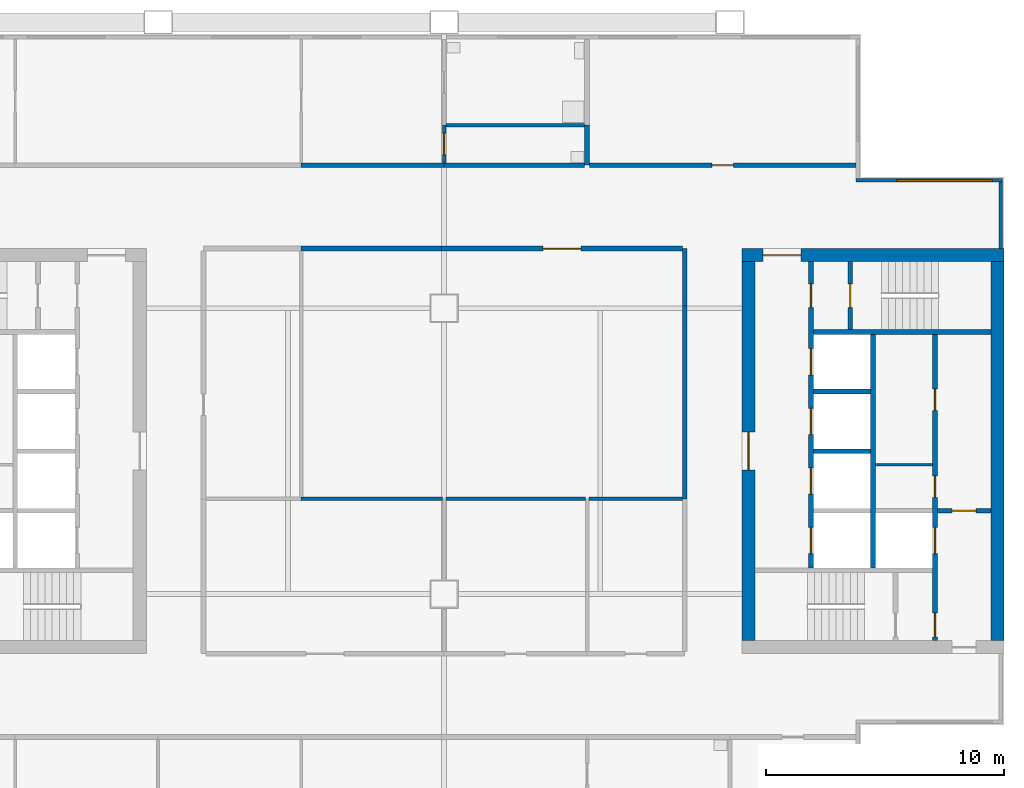
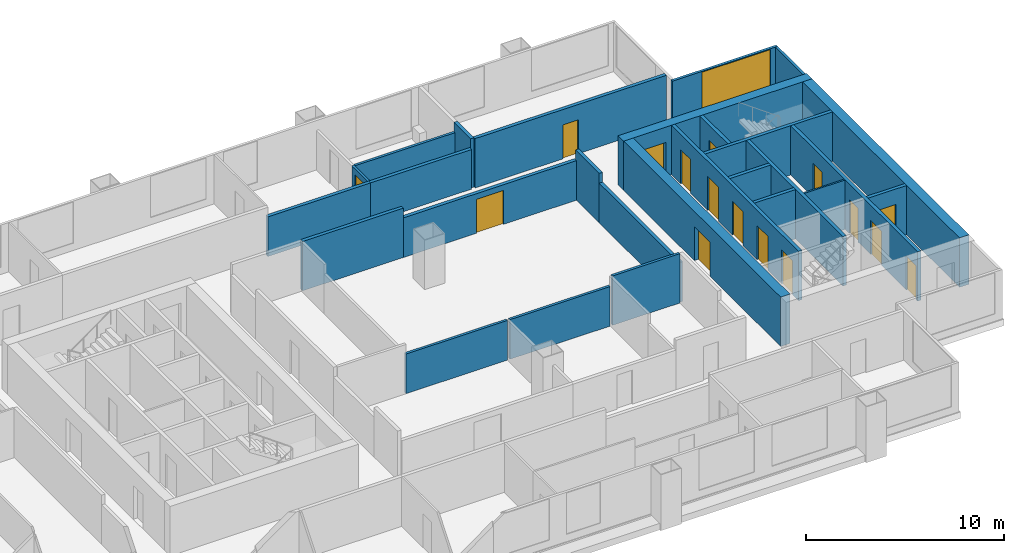
# One storey, part 5 of 8: 27 walls, 16 doors, 1 window, 17 openings.
"""IFC4 building model written with IfcOpenShell, lengths in metres."""

from ifc_helpers import new_model, si_unit, direction, frame, frame_2d, origin, place, context, subcontext, project, spatial, rectangle, extrude, material, layer, layer_set, type_object, element, fill, save


model = new_model("IFC4")

# Units and contexts
model_context = context("Model", 3, precision=1e-05, world=origin(), true_north=direction((0.0, 1.0)))
body_context = subcontext(model_context, "Body", "Model", "MODEL_VIEW")
ifc_project = project(units=[si_unit("LENGTHUNIT", "METRE"), si_unit("AREAUNIT", "SQUARE_METRE"), si_unit("VOLUMEUNIT", "CUBIC_METRE"), si_unit("PLANEANGLEUNIT", "RADIAN"), si_unit("MASSUNIT", "GRAM", prefix="KILO")], contexts=[model_context])

# Site, building, storey
site_placement = place(None, origin())
site = spatial("IfcSite", under=ifc_project, at=site_placement, CompositionType="ELEMENT")
building_placement = place(site_placement, origin())
building = spatial("IfcBuilding", under=site, at=building_placement, Name="Kitamizu Gate Tower and Museum", CompositionType="ELEMENT")
storey_placement = place(building_placement, frame((0.0, 0.0, 189.300048828125)))
storey = spatial("IfcBuildingStorey", under=building, at=storey_placement, Name="L50", CompositionType="ELEMENT", Elevation=189.300048828125)

# Wall, opening, door
ifc_material_1 = material(Name="Concrete Fc42", Category="concrete")
ifc_layer_1 = layer(ifc_material_1, 0.550048828125)
ifc_layer_set_1 = layer_set([ifc_layer_1], Name="Concrete Fc42")
wall_type_1 = type_object("IfcWallType", Name="Core wall 550", PredefinedType="SHEAR", material=ifc_layer_set_1)
wall_1_placement = place(storey_placement, frame((59.5, 38.22509765625, 0.0), z_axis=(0.0, 0.0, 1.0), x_axis=(-1.0, 0.0, 0.0)))
wall_1 = element("IfcWall", 1, at=wall_1_placement, inside=storey, type_object=wall_type_1, Name="Core wall EN", PredefinedType="SHEAR", context=body_context, shape_type="SweptSolid", body=[
    extrude(rectangle(XDim=11.0, YDim=0.550048828125, at=frame_2d((5.5, 0.0))), origin(), (0.0, 0.0, 1.0), 3.050048828125),
])
opening_1_placement = place(wall_1_placement, frame((8.52490234375, 0.0, 0.0)))
opening_1 = element("IfcOpeningElement", 2, at=opening_1_placement, cuts=wall_1, Name="Opening L50-047", PredefinedType="OPENING", context=body_context, shape_type="SweptSolid", body=[
    extrude(rectangle(XDim=1.60009765625, YDim=2.10009765625, at=frame_2d((0.800048828125, 1.050048828125))), frame((0.0, 0.28515625, 0.0), z_axis=(0.0, -1.0, 0.0), x_axis=(1.0, 0.0, 0.0)), (0.0, 0.0, 1.0), 0.570068359375),
])
ifc_material_2 = material(Name="Timber door set", Category="wood")
door_type_1 = type_object("IfcDoorType", Name="Entrance door 1600", OperationType="DOUBLE_DOOR_SINGLE_SWING", PredefinedType="DOOR", material=ifc_material_2)
door_1_placement = place(opening_1_placement, origin())
door_1 = element("IfcDoor", 3, at=door_1_placement, inside=storey, type_object=door_type_1, Name="Lobby door L50-047", OperationType="DOUBLE_DOOR_SINGLE_SWING", OverallHeight=2.10009765625, OverallWidth=1.60009765625, PredefinedType="DOOR", context=body_context, shape_type="SweptSolid", body=[
    extrude(rectangle(XDim=1.60009765625, YDim=2.10009765625, at=frame_2d((0.800048828125, 1.050048828125))), frame((0.0, 0.02490234375, 0.0), z_axis=(0.0, -1.0, 0.0), x_axis=(1.0, 0.0, 0.0)), (0.0, 0.0, 1.0), 0.050048828125),
])
fill(opening_1, door_1)

# Wall
wall_2_placement = place(storey_placement, frame((59.22509765625, 22.050048828125, 0.0), z_axis=(0.0, 0.0, 1.0), x_axis=(0.0, 1.0, 0.0)))
element("IfcWall", 4, at=wall_2_placement, inside=storey, type_object=wall_type_1, Name="Core wall EOUT", PredefinedType="SHEAR", context=body_context, shape_type="SweptSolid", body=[
    extrude(rectangle(XDim=15.89990234375, YDim=0.550048828125, at=frame_2d((7.949951171875, 0.0))), origin(), (0.0, 0.0, 1.0), 3.050048828125),
])

# Wall, opening, door
wall_3_placement = place(storey_placement, frame((48.77490234375, 22.050048828125, 0.0), z_axis=(0.0, 0.0, 1.0), x_axis=(0.0, 1.0, 0.0)))
wall_3 = element("IfcWall", 5, at=wall_3_placement, inside=storey, type_object=wall_type_1, Name="Core wall EARC", PredefinedType="SHEAR", context=body_context, shape_type="SweptSolid", body=[
    extrude(rectangle(XDim=15.89990234375, YDim=0.550048828125, at=frame_2d((7.949951171875, 0.0))), origin(), (0.0, 0.0, 1.0), 3.050048828125),
])
opening_2_placement = place(wall_3_placement, frame((7.14990234375, 0.0, 0.0)))
opening_2 = element("IfcOpeningElement", 6, at=opening_2_placement, cuts=wall_3, Name="Opening L50-048", PredefinedType="OPENING", context=body_context, shape_type="SweptSolid", body=[
    extrude(rectangle(XDim=1.60009765625, YDim=2.10009765625, at=frame_2d((0.800048828125, 1.050048828125))), frame((0.0, 0.28515625, 0.0), z_axis=(0.0, -1.0, 0.0), x_axis=(1.0, 0.0, 0.0)), (0.0, 0.0, 1.0), 0.570068359375),
])
door_2_placement = place(opening_2_placement, origin())
door_2 = element("IfcDoor", 7, at=door_2_placement, inside=storey, type_object=door_type_1, Name="Lobby door L50-048", OperationType="DOUBLE_DOOR_SINGLE_SWING", OverallHeight=2.10009765625, OverallWidth=1.60009765625, PredefinedType="DOOR", context=body_context, shape_type="SweptSolid", body=[
    extrude(rectangle(XDim=1.60009765625, YDim=2.10009765625, at=frame_2d((0.800048828125, 1.050048828125))), frame((0.0, 0.02490234375, 0.0), z_axis=(0.0, -1.0, 0.0), x_axis=(1.0, 0.0, 0.0)), (0.0, 0.0, 1.0), 0.050048828125),
])
fill(opening_2, door_2)

# Wall
ifc_material_3 = material(Name="Gypsum board on galvanised stud")
ifc_layer_2 = layer(ifc_material_3, 0.10009765625)
ifc_layer_set_2 = layer_set([ifc_layer_2], Name="Gypsum board on galvanised stud")
wall_type_2 = type_object("IfcWallType", Name="Partition 100", PredefinedType="PARTITIONING", material=ifc_layer_set_2)
wall_4_placement = place(storey_placement, frame((56.5, 29.425048828125, 0.0), z_axis=(0.0, 0.0, 1.0), x_axis=(-1.0, 0.0, 0.0)))
element("IfcWall", 8, at=wall_4_placement, inside=storey, type_object=wall_type_2, Name="Partition EPF1", PredefinedType="PARTITIONING", context=body_context, shape_type="SweptSolid", body=[
    extrude(rectangle(XDim=2.39990234375, YDim=0.10009765625, at=frame_2d((1.199951171875, 0.0))), origin(), (0.0, 0.0, 1.0), 3.050048828125),
])

# Wall, opening, door
ifc_material_4 = material(Name="Gypsum board on galvanised stud")
ifc_layer_3 = layer(ifc_material_4, 0.14990234375)
ifc_layer_set_3 = layer_set([ifc_layer_3], Name="Gypsum board on galvanised stud")
wall_type_3 = type_object("IfcWallType", Name="Partition 150", PredefinedType="PARTITIONING", material=ifc_layer_set_3)
wall_5_placement = place(storey_placement, frame((36.0, 42.10009765625, 0.0), z_axis=(0.0, 0.0, 1.0), x_axis=(0.0, 1.0, 0.0)))
wall_5 = element("IfcWall", 9, at=wall_5_placement, inside=storey, type_object=wall_type_3, Name="Partition L50-031", PredefinedType="PARTITIONING", context=body_context, shape_type="SweptSolid", body=[
    extrude(rectangle(XDim=1.579833984375, YDim=0.14990234375, at=frame_2d((0.7900390625, 0.0))), origin(), (0.0, 0.0, 1.0), 2.449951171875),
])
opening_3_placement = place(wall_5_placement, frame((0.340087890625, 0.0, 0.0)))
opening_3 = element("IfcOpeningElement", 10, at=opening_3_placement, cuts=wall_5, Name="Opening L50-015", PredefinedType="OPENING", context=body_context, shape_type="SweptSolid", body=[
    extrude(rectangle(XDim=0.89990234375, YDim=2.10009765625, at=frame_2d((0.449951171875, 1.050048828125))), frame((0.0, 0.0849609375, 0.0), z_axis=(0.0, -1.0, 0.0), x_axis=(1.0, 0.0, 0.0)), (0.0, 0.0, 1.0), 0.169921875),
])
ifc_material_5 = material(Name="Timber door set", Category="wood")
door_type_2 = type_object("IfcDoorType", Name="Bathroom door 900", OperationType="NOTDEFINED", PredefinedType="DOOR", material=ifc_material_5)
door_3_placement = place(opening_3_placement, frame((0.89990234375, 0.0, 0.0), x_axis=(-1.0, 0.0, 0.0)))
door_3 = element("IfcDoor", 11, at=door_3_placement, inside=storey, type_object=door_type_2, Name="Bathroom door L50-015", OperationType="SINGLE_SWING_LEFT", OverallHeight=2.10009765625, OverallWidth=0.89990234375, PredefinedType="DOOR", context=body_context, shape_type="SweptSolid", body=[
    extrude(rectangle(XDim=0.89990234375, YDim=2.10009765625, at=frame_2d((0.449951171875, 1.050048828125))), frame((0.0, 0.02490234375, 0.0), z_axis=(0.0, -1.0, 0.0), x_axis=(1.0, 0.0, 0.0)), (0.0, 0.0, 1.0), 0.050048828125),
])
fill(opening_3, door_3)

# Walls
wall_6_placement = place(storey_placement, frame((36.074951171875, 43.679931640625, 0.0), z_axis=(0.0, 0.0, 1.0), x_axis=(1.0, 0.0, 0.0)))
element("IfcWall", 12, at=wall_6_placement, inside=storey, type_object=wall_type_3, Name="Partition L50-033", PredefinedType="PARTITIONING", context=body_context, shape_type="SweptSolid", body=[
    extrude(rectangle(XDim=5.824951171875, YDim=0.14990234375, at=frame_2d((2.91259765625, 0.0))), origin(), (0.0, 0.0, 1.0), 2.449951171875),
])
wall_7_placement = place(storey_placement, frame((35.925048828125, 28.0, 0.0), z_axis=(0.0, 0.0, 1.0), x_axis=(-1.0, 0.0, 0.0)))
element("IfcWall", 13, at=wall_7_placement, inside=storey, type_object=wall_type_3, Name="Partition L50-074", PredefinedType="PARTITIONING", context=body_context, shape_type="SweptSolid", body=[
    extrude(rectangle(XDim=5.925048828125, YDim=0.14990234375, at=frame_2d((2.96240234375, 0.0))), origin(), (0.0, 0.0, 1.0), 2.449951171875),
])
wall_8_placement = place(storey_placement, frame((41.925048828125, 28.0, 0.0), z_axis=(0.0, 0.0, 1.0), x_axis=(-1.0, 0.0, 0.0)))
element("IfcWall", 14, at=wall_8_placement, inside=storey, type_object=wall_type_3, Name="Partition L50-077", PredefinedType="PARTITIONING", context=body_context, shape_type="SweptSolid", body=[
    extrude(rectangle(XDim=5.85009765625, YDim=0.14990234375, at=frame_2d((2.925048828125, 0.0))), origin(), (0.0, 0.0, 1.0), 2.449951171875),
])
wall_9_placement = place(storey_placement, frame((46.0, 28.0, 0.0), z_axis=(0.0, 0.0, 1.0), x_axis=(-1.0, 0.0, 0.0)))
element("IfcWall", 15, at=wall_9_placement, inside=storey, type_object=wall_type_3, Name="Partition L50-078", PredefinedType="PARTITIONING", context=body_context, shape_type="SweptSolid", body=[
    extrude(rectangle(XDim=3.925048828125, YDim=0.14990234375, at=frame_2d((1.96240234375, 0.0))), origin(), (0.0, 0.0, 1.0), 3.050048828125),
])
ifc_material_6 = material(Name="Gypsum board on galvanised stud")
ifc_layer_4 = layer(ifc_material_6, 0.199951171875)
ifc_layer_set_4 = layer_set([ifc_layer_4], Name="Gypsum board on galvanised stud")
wall_type_4 = type_object("IfcWallType", Name="Partition 200", PredefinedType="PARTITIONING", material=ifc_layer_set_4)
wall_10_placement = place(storey_placement, frame((30.0, 42.0, 0.0), z_axis=(0.0, 0.0, 1.0), x_axis=(1.0, 0.0, 0.0)))
element("IfcWall", 16, at=wall_10_placement, inside=storey, type_object=wall_type_4, Name="Partition L50-032", PredefinedType="PARTITIONING", context=body_context, shape_type="SweptSolid", body=[
    extrude(rectangle(XDim=6.0, YDim=0.199951171875, at=frame_2d((3.0, 0.0))), origin(), (0.0, 0.0, 1.0), 2.449951171875),
])
wall_11_placement = place(storey_placement, frame((42.0, 42.0, 0.0), z_axis=(0.0, 0.0, 1.0), x_axis=(0.0, 1.0, 0.0)))
element("IfcWall", 17, at=wall_11_placement, inside=storey, type_object=wall_type_4, Name="Partition L50-035", PredefinedType="PARTITIONING", context=body_context, shape_type="SweptSolid", body=[
    extrude(rectangle(XDim=1.679931640625, YDim=0.199951171875, at=frame_2d((0.83984375, 0.0))), origin(), (0.0, 0.0, 1.0), 3.050048828125),
])
wall_12_placement = place(storey_placement, frame((36.0, 42.0, 0.0), z_axis=(0.0, 0.0, 1.0), x_axis=(1.0, 0.0, 0.0)))
element("IfcWall", 18, at=wall_12_placement, inside=storey, type_object=wall_type_4, Name="Partition L50-036", PredefinedType="PARTITIONING", context=body_context, shape_type="SweptSolid", body=[
    extrude(rectangle(XDim=5.89990234375, YDim=0.199951171875, at=frame_2d((2.949951171875, 0.0))), origin(), (0.0, 0.0, 1.0), 2.449951171875),
])

# Wall, opening, door
wall_13_placement = place(storey_placement, frame((42.10009765625, 42.0, 0.0), z_axis=(0.0, 0.0, 1.0), x_axis=(1.0, 0.0, 0.0)))
wall_13 = element("IfcWall", 19, at=wall_13_placement, inside=storey, type_object=wall_type_4, Name="Partition L50-037", PredefinedType="PARTITIONING", context=body_context, shape_type="SweptSolid", body=[
    extrude(rectangle(XDim=11.179931640625, YDim=0.199951171875, at=frame_2d((5.58984375, 0.0))), origin(), (0.0, 0.0, 1.0), 3.050048828125),
])
opening_4_placement = place(wall_13_placement, frame((5.139892578125, 0.0, 0.0)))
opening_4 = element("IfcOpeningElement", 20, at=opening_4_placement, cuts=wall_13, Name="Opening L50-024", PredefinedType="OPENING", context=body_context, shape_type="SweptSolid", body=[
    extrude(rectangle(XDim=0.89990234375, YDim=2.10009765625, at=frame_2d((0.449951171875, 1.050048828125))), frame((0.0, 0.10986328125, 0.0), z_axis=(0.0, -1.0, 0.0), x_axis=(1.0, 0.0, 0.0)), (0.0, 0.0, 1.0), 0.219970703125),
])
ifc_material_7 = material(Name="Timber door set", Category="wood")
door_type_3 = type_object("IfcDoorType", Name="Room door 900", OperationType="NOTDEFINED", PredefinedType="DOOR", material=ifc_material_7)
door_4_placement = place(opening_4_placement, origin())
door_4 = element("IfcDoor", 21, at=door_4_placement, inside=storey, type_object=door_type_3, Name="Door L50-024", OperationType="SINGLE_SWING_LEFT", OverallHeight=2.10009765625, OverallWidth=0.89990234375, PredefinedType="DOOR", context=body_context, shape_type="SweptSolid", body=[
    extrude(rectangle(XDim=0.89990234375, YDim=2.10009765625, at=frame_2d((0.449951171875, 1.050048828125))), frame((0.0, 0.02490234375, 0.0), z_axis=(0.0, -1.0, 0.0), x_axis=(1.0, 0.0, 0.0)), (0.0, 0.0, 1.0), 0.050048828125),
])
fill(opening_4, door_4)

# Walls
wall_14_placement = place(storey_placement, frame((46.10009765625, 28.0, 0.0), z_axis=(0.0, 0.0, 1.0), x_axis=(0.0, 1.0, 0.0)))
element("IfcWall", 22, at=wall_14_placement, inside=storey, type_object=wall_type_4, Name="Partition L50-067", PredefinedType="PARTITIONING", context=body_context, shape_type="SweptSolid", body=[
    extrude(rectangle(XDim=8.10009765625, YDim=0.199951171875, at=frame_2d((4.050048828125, 0.0))), origin(), (0.0, 0.0, 1.0), 2.449951171875),
])
wall_15_placement = place(storey_placement, frame((46.10009765625, 36.10009765625, 0.0), z_axis=(0.0, 0.0, 1.0), x_axis=(0.0, 1.0, 0.0)))
element("IfcWall", 23, at=wall_15_placement, inside=storey, type_object=wall_type_4, Name="Partition L50-068", PredefinedType="PARTITIONING", context=body_context, shape_type="SweptSolid", body=[
    extrude(rectangle(XDim=2.39990234375, YDim=0.199951171875, at=frame_2d((1.199951171875, 0.0))), origin(), (0.0, 0.0, 1.0), 3.050048828125),
])

# Wall, opening, door
wall_16_placement = place(storey_placement, frame((46.0, 38.5, 0.0), z_axis=(0.0, 0.0, 1.0), x_axis=(-1.0, 0.0, 0.0)))
wall_16 = element("IfcWall", 24, at=wall_16_placement, inside=storey, type_object=wall_type_4, Name="Partition L50-069", PredefinedType="PARTITIONING", context=body_context, shape_type="SweptSolid", body=[
    extrude(rectangle(XDim=10.10009765625, YDim=0.199951171875, at=frame_2d((5.050048828125, 0.0))), origin(), (0.0, 0.0, 1.0), 2.449951171875),
])
opening_5_placement = place(wall_16_placement, frame((4.25, 0.0, 0.0)))
opening_5 = element("IfcOpeningElement", 25, at=opening_5_placement, cuts=wall_16, Name="Opening L50-029", PredefinedType="OPENING", context=body_context, shape_type="SweptSolid", body=[
    extrude(rectangle(XDim=1.60009765625, YDim=2.10009765625, at=frame_2d((0.800048828125, 1.050048828125))), frame((0.0, 0.10986328125, 0.0), z_axis=(0.0, -1.0, 0.0), x_axis=(1.0, 0.0, 0.0)), (0.0, 0.0, 1.0), 0.219970703125),
])
ifc_material_8 = material(Name="Timber door set", Category="wood")
door_type_4 = type_object("IfcDoorType", Name="Double door 1600", OperationType="DOUBLE_DOOR_SINGLE_SWING", PredefinedType="DOOR", material=ifc_material_8)
door_5_placement = place(opening_5_placement, origin())
door_5 = element("IfcDoor", 26, at=door_5_placement, inside=storey, type_object=door_type_4, Name="Double door L50-029", OperationType="DOUBLE_DOOR_SINGLE_SWING", OverallHeight=2.10009765625, OverallWidth=1.60009765625, PredefinedType="DOOR", context=body_context, shape_type="SweptSolid", body=[
    extrude(rectangle(XDim=1.60009765625, YDim=2.10009765625, at=frame_2d((0.800048828125, 1.050048828125))), frame((0.0, 0.02490234375, 0.0), z_axis=(0.0, -1.0, 0.0), x_axis=(1.0, 0.0, 0.0)), (0.0, 0.0, 1.0), 0.050048828125),
])
fill(opening_5, door_5)

# Wall
wall_17_placement = place(storey_placement, frame((35.89990234375, 38.5, 0.0), z_axis=(0.0, 0.0, 1.0), x_axis=(-1.0, 0.0, 0.0)))
element("IfcWall", 27, at=wall_17_placement, inside=storey, type_object=wall_type_4, Name="Partition L50-070", PredefinedType="PARTITIONING", context=body_context, shape_type="SweptSolid", body=[
    extrude(rectangle(XDim=5.89990234375, YDim=0.199951171875, at=frame_2d((2.949951171875, 0.0))), origin(), (0.0, 0.0, 1.0), 3.050048828125),
])

# Wall, openings, doors
ifc_material_9 = material(Name="Concrete Fc42", Category="concrete")
ifc_layer_5 = layer(ifc_material_9, 0.199951171875)
ifc_layer_set_5 = layer_set([ifc_layer_5], Name="Concrete Fc42")
wall_type_5 = type_object("IfcWallType", Name="Shaft wall 200", PredefinedType="SOLIDWALL", material=ifc_layer_set_5)
wall_18_placement = place(storey_placement, frame((56.60009765625, 22.050048828125, 0.0), z_axis=(0.0, 0.0, 1.0), x_axis=(0.0, 1.0, 0.0)))
wall_18 = element("IfcWall", 28, at=wall_18_placement, inside=storey, type_object=wall_type_5, Name="Shaft wall EWEST", PredefinedType="SOLIDWALL", context=body_context, shape_type="SweptSolid", body=[
    extrude(rectangle(XDim=12.849853515625, YDim=0.199951171875, at=frame_2d((6.4248046875, 0.0))), origin(), (0.0, 0.0, 1.0), 3.050048828125),
])
opening_6_placement = place(wall_18_placement, frame((3.64990234375, 0.0, 0.0)))
opening_6 = element("IfcOpeningElement", 29, at=opening_6_placement, cuts=wall_18, Name="Opening LD", PredefinedType="OPENING", context=body_context, shape_type="SweptSolid", body=[
    extrude(rectangle(XDim=1.10009765625, YDim=2.10009765625, at=frame_2d((0.550048828125, 1.050048828125))), frame((0.0, 0.10986328125, 0.0), z_axis=(0.0, -1.0, 0.0), x_axis=(1.0, 0.0, 0.0)), (0.0, 0.0, 1.0), 0.219970703125),
])
opening_7_placement = place(wall_18_placement, frame((0.14990234375, 0.0, 0.0)))
opening_7 = element("IfcOpeningElement", 30, at=opening_7_placement, cuts=wall_18, Name="Opening L50-042", PredefinedType="OPENING", context=body_context, shape_type="SweptSolid", body=[
    extrude(rectangle(XDim=1.0, YDim=2.10009765625, at=frame_2d((0.5, 1.050048828125))), frame((0.0, 0.10986328125, 0.0), z_axis=(0.0, -1.0, 0.0), x_axis=(1.0, 0.0, 0.0)), (0.0, 0.0, 1.0), 0.219970703125),
])
opening_8_placement = place(wall_18_placement, frame((6.012451171875, 0.0, 0.0)))
opening_8 = element("IfcOpeningElement", 31, at=opening_8_placement, cuts=wall_18, Name="Opening L50-049", PredefinedType="OPENING", context=body_context, shape_type="SweptSolid", body=[
    extrude(rectangle(XDim=0.89990234375, YDim=2.10009765625, at=frame_2d((0.449951171875, 1.050048828125))), frame((0.0, 0.10986328125, 0.0), z_axis=(0.0, -1.0, 0.0), x_axis=(1.0, 0.0, 0.0)), (0.0, 0.0, 1.0), 0.219970703125),
])
opening_9_placement = place(wall_18_placement, frame((9.66259765625, 0.0, 0.0)))
opening_9 = element("IfcOpeningElement", 32, at=opening_9_placement, cuts=wall_18, Name="Opening L50-050", PredefinedType="OPENING", context=body_context, shape_type="SweptSolid", body=[
    extrude(rectangle(XDim=0.89990234375, YDim=2.10009765625, at=frame_2d((0.449951171875, 1.050048828125))), frame((0.0, 0.10986328125, 0.0), z_axis=(0.0, -1.0, 0.0), x_axis=(1.0, 0.0, 0.0)), (0.0, 0.0, 1.0), 0.219970703125),
])
ifc_material_10 = material(Name="Hollow metal door set")
door_type_5 = type_object("IfcDoorType", Name="Fire door 1000", OperationType="NOTDEFINED", PredefinedType="DOOR", material=ifc_material_10)
door_6_placement = place(opening_7_placement, origin())
door_6 = element("IfcDoor", 33, at=door_6_placement, inside=storey, type_object=door_type_5, Name="Stair lobby door L50-042", OperationType="SINGLE_SWING_RIGHT", OverallHeight=2.10009765625, OverallWidth=1.0, PredefinedType="DOOR", context=body_context, shape_type="SweptSolid", body=[
    extrude(rectangle(XDim=1.0, YDim=2.10009765625, at=frame_2d((0.5, 1.050048828125))), frame((0.0, 0.02490234375, 0.0), z_axis=(0.0, -1.0, 0.0), x_axis=(1.0, 0.0, 0.0)), (0.0, 0.0, 1.0), 0.050048828125),
])
fill(opening_7, door_6)
ifc_material_11 = material(Name="Hollow metal door set")
door_type_6 = type_object("IfcDoorType", Name="Landing door 1100", OperationType="SLIDING_TO_LEFT", PredefinedType="DOOR", material=ifc_material_11)
door_7_placement = place(opening_6_placement, origin())
door_7 = element("IfcDoor", 34, at=door_7_placement, inside=storey, type_object=door_type_6, Name="Landing door EFF1", OperationType="SLIDING_TO_LEFT", OverallHeight=2.10009765625, OverallWidth=1.10009765625, PredefinedType="DOOR", context=body_context, shape_type="SweptSolid", body=[
    extrude(rectangle(XDim=1.10009765625, YDim=2.10009765625, at=frame_2d((0.550048828125, 1.050048828125))), frame((0.0, 0.02490234375, 0.0), z_axis=(0.0, -1.0, 0.0), x_axis=(1.0, 0.0, 0.0)), (0.0, 0.0, 1.0), 0.050048828125),
])
fill(opening_6, door_7)
ifc_material_12 = material(Name="Timber door set", Category="wood")
door_type_7 = type_object("IfcDoorType", Name="Service door 900", OperationType="NOTDEFINED", PredefinedType="DOOR", material=ifc_material_12)
door_8_placement = place(opening_8_placement, origin())
door_8 = element("IfcDoor", 35, at=door_8_placement, inside=storey, type_object=door_type_7, Name="Service door L50-049", OperationType="SINGLE_SWING_LEFT", OverallHeight=2.10009765625, OverallWidth=0.89990234375, PredefinedType="DOOR", context=body_context, shape_type="SweptSolid", body=[
    extrude(rectangle(XDim=0.89990234375, YDim=2.10009765625, at=frame_2d((0.449951171875, 1.050048828125))), frame((0.0, 0.02490234375, 0.0), z_axis=(0.0, -1.0, 0.0), x_axis=(1.0, 0.0, 0.0)), (0.0, 0.0, 1.0), 0.050048828125),
])
fill(opening_8, door_8)
door_9_placement = place(opening_9_placement, origin())
door_9 = element("IfcDoor", 36, at=door_9_placement, inside=storey, type_object=door_type_7, Name="Service door L50-050", OperationType="SINGLE_SWING_RIGHT", OverallHeight=2.10009765625, OverallWidth=0.89990234375, PredefinedType="DOOR", context=body_context, shape_type="SweptSolid", body=[
    extrude(rectangle(XDim=0.89990234375, YDim=2.10009765625, at=frame_2d((0.449951171875, 1.050048828125))), frame((0.0, 0.02490234375, 0.0), z_axis=(0.0, -1.0, 0.0), x_axis=(1.0, 0.0, 0.0)), (0.0, 0.0, 1.0), 0.050048828125),
])
fill(opening_9, door_9)

wall_19_placement = place(storey_placement, frame((51.39990234375, 25.10009765625, 0.0), z_axis=(0.0, 0.0, 1.0), x_axis=(0.0, 1.0, 0.0)))
wall_19 = element("IfcWall", 37, at=wall_19_placement, inside=storey, type_object=wall_type_5, Name="Shaft wall EEAST", PredefinedType="SOLIDWALL", context=body_context, shape_type="SweptSolid", body=[
    extrude(rectangle(XDim=12.849853515625, YDim=0.199951171875, at=frame_2d((6.4248046875, 0.0))), origin(), (0.0, 0.0, 1.0), 3.050048828125),
])
opening_10_placement = place(wall_19_placement, frame((0.60009765625, 0.0, 0.0)))
opening_10 = element("IfcOpeningElement", 38, at=opening_10_placement, cuts=wall_19, Name="Opening LD", PredefinedType="OPENING", context=body_context, shape_type="SweptSolid", body=[
    extrude(rectangle(XDim=1.10009765625, YDim=2.10009765625, at=frame_2d((0.550048828125, 1.050048828125))), frame((0.0, 0.10986328125, 0.0), z_axis=(0.0, -1.0, 0.0), x_axis=(1.0, 0.0, 0.0)), (0.0, 0.0, 1.0), 0.219970703125),
])
opening_11_placement = place(wall_19_placement, frame((3.10009765625, 0.0, 0.0)))
opening_11 = element("IfcOpeningElement", 39, at=opening_11_placement, cuts=wall_19, Name="Opening LD", PredefinedType="OPENING", context=body_context, shape_type="SweptSolid", body=[
    extrude(rectangle(XDim=1.10009765625, YDim=2.10009765625, at=frame_2d((0.550048828125, 1.050048828125))), frame((0.0, 0.10986328125, 0.0), z_axis=(0.0, -1.0, 0.0), x_axis=(1.0, 0.0, 0.0)), (0.0, 0.0, 1.0), 0.219970703125),
])
opening_12_placement = place(wall_19_placement, frame((5.60009765625, 0.0, 0.0)))
opening_12 = element("IfcOpeningElement", 40, at=opening_12_placement, cuts=wall_19, Name="Opening LD", PredefinedType="OPENING", context=body_context, shape_type="SweptSolid", body=[
    extrude(rectangle(XDim=1.10009765625, YDim=2.10009765625, at=frame_2d((0.550048828125, 1.050048828125))), frame((0.0, 0.10986328125, 0.0), z_axis=(0.0, -1.0, 0.0), x_axis=(1.0, 0.0, 0.0)), (0.0, 0.0, 1.0), 0.219970703125),
])
opening_13_placement = place(wall_19_placement, frame((8.10009765625, 0.0, 0.0)))
opening_13 = element("IfcOpeningElement", 41, at=opening_13_placement, cuts=wall_19, Name="Opening LD", PredefinedType="OPENING", context=body_context, shape_type="SweptSolid", body=[
    extrude(rectangle(XDim=1.10009765625, YDim=2.10009765625, at=frame_2d((0.550048828125, 1.050048828125))), frame((0.0, 0.10986328125, 0.0), z_axis=(0.0, -1.0, 0.0), x_axis=(1.0, 0.0, 0.0)), (0.0, 0.0, 1.0), 0.219970703125),
])
opening_14_placement = place(wall_19_placement, frame((10.925048828125, 0.0, 0.0)))
opening_14 = element("IfcOpeningElement", 42, at=opening_14_placement, cuts=wall_19, Name="Opening L50-043", PredefinedType="OPENING", context=body_context, shape_type="SweptSolid", body=[
    extrude(rectangle(XDim=1.0, YDim=2.10009765625, at=frame_2d((0.5, 1.050048828125))), frame((0.0, 0.10986328125, 0.0), z_axis=(0.0, -1.0, 0.0), x_axis=(1.0, 0.0, 0.0)), (0.0, 0.0, 1.0), 0.219970703125),
])
door_10_placement = place(opening_14_placement, frame((1.0, 0.0, 0.0), x_axis=(-1.0, 0.0, 0.0)))
door_10 = element("IfcDoor", 43, at=door_10_placement, inside=storey, type_object=door_type_5, Name="Stair lobby door L50-043", OperationType="SINGLE_SWING_RIGHT", OverallHeight=2.10009765625, OverallWidth=1.0, PredefinedType="DOOR", context=body_context, shape_type="SweptSolid", body=[
    extrude(rectangle(XDim=1.0, YDim=2.10009765625, at=frame_2d((0.5, 1.050048828125))), frame((0.0, 0.02490234375, 0.0), z_axis=(0.0, -1.0, 0.0), x_axis=(1.0, 0.0, 0.0)), (0.0, 0.0, 1.0), 0.050048828125),
])
fill(opening_14, door_10)
door_11_placement = place(opening_10_placement, origin())
door_11 = element("IfcDoor", 44, at=door_11_placement, inside=storey, type_object=door_type_6, Name="Landing door ESV1", OperationType="SLIDING_TO_LEFT", OverallHeight=2.10009765625, OverallWidth=1.10009765625, PredefinedType="DOOR", context=body_context, shape_type="SweptSolid", body=[
    extrude(rectangle(XDim=1.10009765625, YDim=2.10009765625, at=frame_2d((0.550048828125, 1.050048828125))), frame((0.0, 0.02490234375, 0.0), z_axis=(0.0, -1.0, 0.0), x_axis=(1.0, 0.0, 0.0)), (0.0, 0.0, 1.0), 0.050048828125),
])
fill(opening_10, door_11)
door_12_placement = place(opening_11_placement, origin())
door_12 = element("IfcDoor", 45, at=door_12_placement, inside=storey, type_object=door_type_6, Name="Landing door EH1", OperationType="SLIDING_TO_LEFT", OverallHeight=2.10009765625, OverallWidth=1.10009765625, PredefinedType="DOOR", context=body_context, shape_type="SweptSolid", body=[
    extrude(rectangle(XDim=1.10009765625, YDim=2.10009765625, at=frame_2d((0.550048828125, 1.050048828125))), frame((0.0, 0.02490234375, 0.0), z_axis=(0.0, -1.0, 0.0), x_axis=(1.0, 0.0, 0.0)), (0.0, 0.0, 1.0), 0.050048828125),
])
fill(opening_11, door_12)
door_13_placement = place(opening_12_placement, origin())
door_13 = element("IfcDoor", 46, at=door_13_placement, inside=storey, type_object=door_type_6, Name="Landing door EH2", OperationType="SLIDING_TO_LEFT", OverallHeight=2.10009765625, OverallWidth=1.10009765625, PredefinedType="DOOR", context=body_context, shape_type="SweptSolid", body=[
    extrude(rectangle(XDim=1.10009765625, YDim=2.10009765625, at=frame_2d((0.550048828125, 1.050048828125))), frame((0.0, 0.02490234375, 0.0), z_axis=(0.0, -1.0, 0.0), x_axis=(1.0, 0.0, 0.0)), (0.0, 0.0, 1.0), 0.050048828125),
])
fill(opening_12, door_13)
door_14_placement = place(opening_13_placement, origin())
door_14 = element("IfcDoor", 47, at=door_14_placement, inside=storey, type_object=door_type_6, Name="Landing door EH3", OperationType="SLIDING_TO_LEFT", OverallHeight=2.10009765625, OverallWidth=1.10009765625, PredefinedType="DOOR", context=body_context, shape_type="SweptSolid", body=[
    extrude(rectangle(XDim=1.10009765625, YDim=2.10009765625, at=frame_2d((0.550048828125, 1.050048828125))), frame((0.0, 0.02490234375, 0.0), z_axis=(0.0, -1.0, 0.0), x_axis=(1.0, 0.0, 0.0)), (0.0, 0.0, 1.0), 0.050048828125),
])
fill(opening_13, door_14)

# Walls
wall_20_placement = place(storey_placement, frame((54.0, 25.10009765625, 0.0), z_axis=(0.0, 0.0, 1.0), x_axis=(0.0, 1.0, 0.0)))
element("IfcWall", 48, at=wall_20_placement, inside=storey, type_object=wall_type_5, Name="Shaft wall EMID", PredefinedType="SOLIDWALL", context=body_context, shape_type="SweptSolid", body=[
    extrude(rectangle(XDim=9.7998046875, YDim=0.199951171875, at=frame_2d((4.89990234375, 0.0))), origin(), (0.0, 0.0, 1.0), 3.050048828125),
])
wall_21_placement = place(storey_placement, frame((58.949951171875, 35.0, 0.0), z_axis=(0.0, 0.0, 1.0), x_axis=(-1.0, 0.0, 0.0)))
element("IfcWall", 49, at=wall_21_placement, inside=storey, type_object=wall_type_5, Name="Shaft wall ENB", PredefinedType="SOLIDWALL", context=body_context, shape_type="SweptSolid", body=[
    extrude(rectangle(XDim=7.449951171875, YDim=0.199951171875, at=frame_2d((3.72509765625, 0.0))), origin(), (0.0, 0.0, 1.0), 3.050048828125),
])

# Wall, opening, door
wall_22_placement = place(storey_placement, frame((58.949951171875, 27.5, 0.0), z_axis=(0.0, 0.0, 1.0), x_axis=(-1.0, 0.0, 0.0)))
wall_22 = element("IfcWall", 50, at=wall_22_placement, inside=storey, type_object=wall_type_5, Name="Shaft wall EFFN", PredefinedType="SOLIDWALL", context=body_context, shape_type="SweptSolid", body=[
    extrude(rectangle(XDim=2.25, YDim=0.199951171875, at=frame_2d((1.125, 0.0))), origin(), (0.0, 0.0, 1.0), 3.050048828125),
])
opening_15_placement = place(wall_22_placement, frame((0.625, 0.0, 0.0)))
opening_15 = element("IfcOpeningElement", 51, at=opening_15_placement, cuts=wall_22, Name="Opening L50-045", PredefinedType="OPENING", context=body_context, shape_type="SweptSolid", body=[
    extrude(rectangle(XDim=1.0, YDim=2.10009765625, at=frame_2d((0.5, 1.050048828125))), frame((0.0, 0.10986328125, 0.0), z_axis=(0.0, -1.0, 0.0), x_axis=(1.0, 0.0, 0.0)), (0.0, 0.0, 1.0), 0.219970703125),
])
door_15_placement = place(opening_15_placement, origin())
door_15 = element("IfcDoor", 52, at=door_15_placement, inside=storey, type_object=door_type_5, Name="Fire-fighting lobby door L50-045", OperationType="SINGLE_SWING_LEFT", OverallHeight=2.10009765625, OverallWidth=1.0, PredefinedType="DOOR", context=body_context, shape_type="SweptSolid", body=[
    extrude(rectangle(XDim=1.0, YDim=2.10009765625, at=frame_2d((0.5, 1.050048828125))), frame((0.0, 0.02490234375, 0.0), z_axis=(0.0, -1.0, 0.0), x_axis=(1.0, 0.0, 0.0)), (0.0, 0.0, 1.0), 0.050048828125),
])
fill(opening_15, door_15)

wall_23_placement = place(storey_placement, frame((53.050048828125, 35.10009765625, 0.0), z_axis=(0.0, 0.0, 1.0), x_axis=(0.0, 1.0, 0.0)))
wall_23 = element("IfcWall", 53, at=wall_23_placement, inside=storey, type_object=wall_type_5, Name="Shaft wall ENZ", PredefinedType="SOLIDWALL", context=body_context, shape_type="SweptSolid", body=[
    extrude(rectangle(XDim=2.849853515625, YDim=0.199951171875, at=frame_2d((1.4248046875, 0.0))), origin(), (0.0, 0.0, 1.0), 3.050048828125),
])
opening_16_placement = place(wall_23_placement, frame((0.925048828125, 0.0, 0.0)))
opening_16 = element("IfcOpeningElement", 54, at=opening_16_placement, cuts=wall_23, Name="Opening L50-044", PredefinedType="OPENING", context=body_context, shape_type="SweptSolid", body=[
    extrude(rectangle(XDim=1.0, YDim=2.10009765625, at=frame_2d((0.5, 1.050048828125))), frame((0.0, 0.10986328125, 0.0), z_axis=(0.0, -1.0, 0.0), x_axis=(1.0, 0.0, 0.0)), (0.0, 0.0, 1.0), 0.219970703125),
])
door_16_placement = place(opening_16_placement, frame((1.0, 0.0, 0.0), x_axis=(-1.0, 0.0, 0.0)))
door_16 = element("IfcDoor", 55, at=door_16_placement, inside=storey, type_object=door_type_5, Name="Stair door L50-044", OperationType="SINGLE_SWING_LEFT", OverallHeight=2.10009765625, OverallWidth=1.0, PredefinedType="DOOR", context=body_context, shape_type="SweptSolid", body=[
    extrude(rectangle(XDim=1.0, YDim=2.10009765625, at=frame_2d((0.5, 1.050048828125))), frame((0.0, 0.02490234375, 0.0), z_axis=(0.0, -1.0, 0.0), x_axis=(1.0, 0.0, 0.0)), (0.0, 0.0, 1.0), 0.050048828125),
])
fill(opening_16, door_16)

# Walls
for number, where, z_axis, x_axis, name in (
    (56, (53.89990234375, 30.0, 0.0), (0.0, 0.0, 1.0), (-1.0, 0.0, 0.0), "Shaft wall EDVE1"),
    (57, (53.89990234375, 32.5, 0.0), (0.0, 0.0, 1.0), (-1.0, 0.0, 0.0), "Shaft wall EDVE2"),
):
    element("IfcWall", number, at=place(storey_placement, frame(where, z_axis=z_axis, x_axis=x_axis)), inside=storey, type_object=wall_type_5, Name=name, PredefinedType="SOLIDWALL", context=body_context, shape_type="SweptSolid", body=[
        extrude(rectangle(XDim=2.39990234375, YDim=0.199951171875, at=frame_2d((1.199951171875, 0.0))), origin(), (0.0, 0.0, 1.0), 3.050048828125),
    ])
ifc_material_13 = material(Name="Bronze anodised aluminium frame with insulated spandrel and tinted glass", Category="aluminium")
ifc_layer_6 = layer(ifc_material_13, 0.14990234375)
ifc_layer_set_6 = layer_set([ifc_layer_6], Name="Bronze anodised aluminium frame with insulated spandrel and tinted glass")
wall_type_6 = type_object("IfcWallType", Name="WINDOW WALL 150 BRONZE FRAME EI 30", PredefinedType="ELEMENTEDWALL", material=ifc_layer_set_6)
wall_24_placement = place(storey_placement, frame((59.364990234375, 38.5, 0.0), z_axis=(0.0, 0.0, 1.0), x_axis=(0.0, 1.0, 0.0)))
element("IfcWall", 58, at=wall_24_placement, inside=storey, type_object=wall_type_6, Name="Window wall east L50", PredefinedType="ELEMENTEDWALL", context=body_context, shape_type="SweptSolid", body=[
    extrude(rectangle(XDim=2.7900390625, YDim=0.14990234375, at=frame_2d((1.39501953125, 0.0))), origin(), (0.0, 0.0, 1.0), 3.050048828125),
])

# Wall, opening, window
wall_25_placement = place(storey_placement, frame((53.2900390625, 41.364990234375, 0.0), z_axis=(0.0, 0.0, 1.0), x_axis=(1.0, 0.0, 0.0)))
wall_25 = element("IfcWall", 59, at=wall_25_placement, inside=storey, type_object=wall_type_6, Name="Window wall north L50", PredefinedType="ELEMENTEDWALL", context=body_context, shape_type="SweptSolid", body=[
    extrude(rectangle(XDim=6.14990234375, YDim=0.14990234375, at=frame_2d((3.074951171875, 0.0))), origin(), (0.0, 0.0, 1.0), 3.050048828125),
])
opening_17_placement = place(wall_25_placement, frame((1.7099609375, 0.0, 0.449951171875)))
opening_17 = element("IfcOpeningElement", 60, at=opening_17_placement, cuts=wall_25, Name="Opening W16", PredefinedType="OPENING", context=body_context, shape_type="SweptSolid", body=[
    extrude(rectangle(XDim=4.0, YDim=2.550048828125, at=frame_2d((2.0, 1.27490234375))), frame((0.0, 0.0849609375, 0.0), z_axis=(0.0, -1.0, 0.0), x_axis=(1.0, 0.0, 0.0)), (0.0, 0.0, 1.0), 0.169921875),
])
ifc_material_14 = material(Name="Bronze anodised aluminium frame, tinted triple glazing", Category="aluminium")
window_type = type_object("IfcWindowType", Name="WINDOW 4000 x 2550 SILL 450", PartitioningType="SINGLE_PANEL", PredefinedType="WINDOW", material=ifc_material_14)
window_placement = place(opening_17_placement, origin())
window = element("IfcWindow", 61, at=window_placement, inside=storey, type_object=window_type, Name="Window W16 L50", OverallHeight=2.550048828125, OverallWidth=4.0, PartitioningType="SINGLE_PANEL", PredefinedType="WINDOW", context=body_context, shape_type="SweptSolid", body=[
    extrude(rectangle(XDim=4.0, YDim=2.550048828125, at=frame_2d((2.0, 1.27490234375))), frame((0.0, 0.030029296875, 0.0), z_axis=(0.0, -1.0, 0.0), x_axis=(1.0, 0.0, 0.0)), (0.0, 0.0, 1.0), 0.06005859375),
])
fill(opening_17, window)

save(model, "model.ifc")
